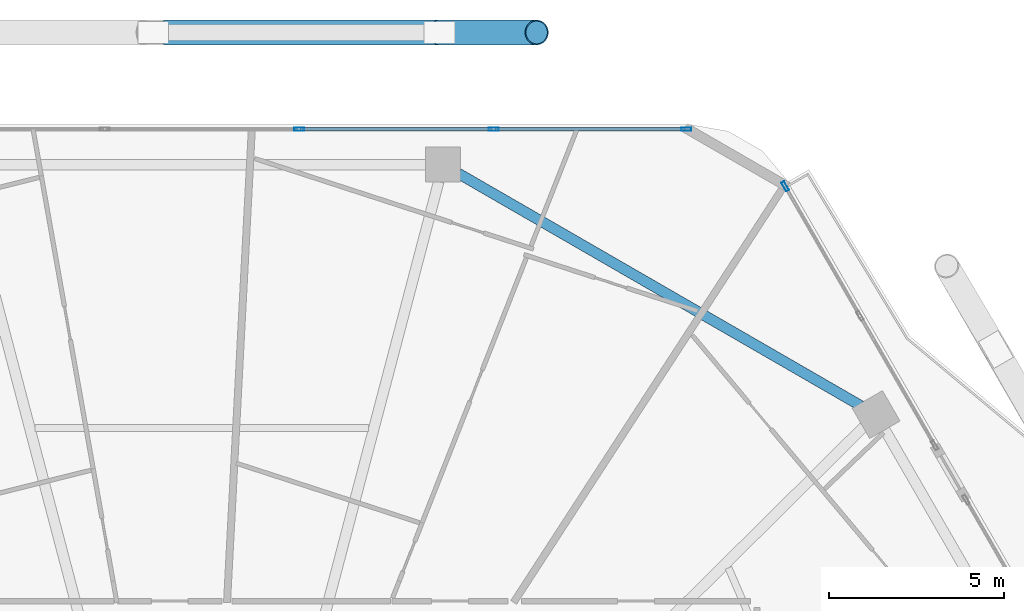
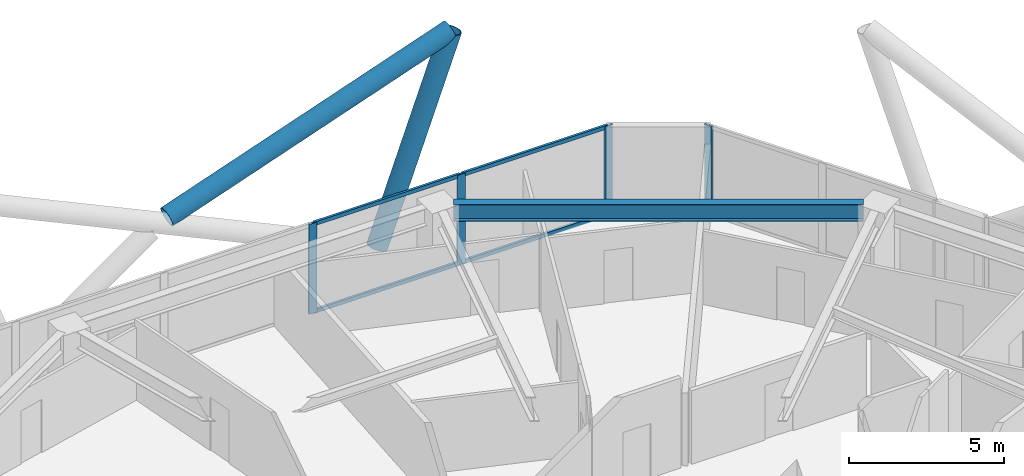
# One storey, part 17 of 28: 10 members, 1 beam, 2 elements without a shape of their own.
"""IFC4 building model written with IfcOpenShell, lengths in metres."""

import ifcopenshell
import ifcopenshell.guid

model = None  # the IFC model being written
_history = None  # IfcOwnerHistory: only IFC2X3 demands one
_inside = {}  # id of a spatial element -> (the spatial element, [elements in it])
_under = {}  # id of a project, library or spatial element -> (it, [spatial elements below it])
_declared = {}  # id of a project -> (the project, [libraries it declares])
_typed = {}  # id of a type object -> (the type object, [elements of that type])
_made_of = {}  # id of a material, layer set ... -> (it, [elements and type objects made of it])


def new_model(schema):
    """Start an empty IFC model of exactly this schema.

    Asked for "IFC4X3", IfcOpenShell would pick the latest addendum, in which some entities
    have other attributes; the version numbers below select the first issue.
    IFC2X3 requires an IfcOwnerHistory on every rooted entity: one is made here for all.
    """
    global model, _history
    if schema == "IFC4X3":
        model = ifcopenshell.file(schema_version=(4, 3, 0, 0))
    else:
        model = ifcopenshell.file(schema=schema)
    _inside.clear()
    _under.clear()
    _declared.clear()
    _typed.clear()
    _made_of.clear()
    _history = None
    if model.schema == "IFC2X3":
        org = make("IfcOrganization", Name="unknown")
        user = make(
            "IfcPersonAndOrganization",
            ThePerson=make("IfcPerson", FamilyName="unknown"),
            TheOrganization=org,
        )
        app = make(
            "IfcApplication",
            ApplicationDeveloper=org,
            Version="unknown",
            ApplicationFullName="unknown",
            ApplicationIdentifier="unknown",
        )
        _history = make(
            "IfcOwnerHistory",
            OwningUser=user,
            OwningApplication=app,
            ChangeAction="ADDED",
            CreationDate=0,
        )
    return model


def make(cls, **values):
    """One entity of the class cls with the attributes given. An attribute that is None is left unset."""
    return model.create_entity(
        cls, **{name: value for name, value in values.items() if value is not None}
    )


def rooted(cls, **values):
    """An entity with a GlobalId (a new one), such as an element, a storey or a relation."""
    return make(cls, GlobalId=ifcopenshell.guid.new(), OwnerHistory=_history, **values)


def si_unit(unit_type, name, prefix=None):
    """IfcSIUnit, for example si_unit("LENGTHUNIT", "METRE", prefix="MILLI")."""
    return make("IfcSIUnit", UnitType=unit_type, Prefix=prefix, Name=name)


def assignment(units):
    """IfcUnitAssignment: the units of a project."""
    return None if units is None else make("IfcUnitAssignment", Units=units)


def point(xyz):
    """IfcCartesianPoint."""
    return None if xyz is None else make("IfcCartesianPoint", Coordinates=xyz)


def direction(xyz):
    """IfcDirection."""
    return None if xyz is None else make("IfcDirection", DirectionRatios=xyz)


def frame(location, z_axis=None, x_axis=None):
    """IfcAxis2Placement3D, a coordinate frame: its origin and axes. An axis left out is left unset."""
    return make(
        "IfcAxis2Placement3D",
        Location=point(location),
        Axis=direction(z_axis),
        RefDirection=direction(x_axis),
    )


def frame_2d(location, x_axis=None):
    """IfcAxis2Placement2D, a coordinate frame in the plane: its origin and x axis."""
    return make(
        "IfcAxis2Placement2D", Location=point(location), RefDirection=direction(x_axis)
    )


def origin():
    """The frame at (0, 0, 0) with its axes left unset."""
    return frame((0.0, 0.0, 0.0))


def origin_2d():
    """The frame at (0, 0) in the plane with its x axis left unset."""
    return frame_2d((0.0, 0.0))


def place(relative_to, where):
    """IfcLocalPlacement: puts the frame where relative to a parent placement (None: the world)."""
    return make(
        "IfcLocalPlacement", PlacementRelTo=relative_to, RelativePlacement=where
    )


def context(
    kind, dimensions, precision=None, world=None, true_north=None, identifier=None
):
    """IfcGeometricRepresentationContext, for example the 3D "Model" context."""
    return make(
        "IfcGeometricRepresentationContext",
        ContextIdentifier=identifier,
        ContextType=kind,
        CoordinateSpaceDimension=dimensions,
        Precision=precision,
        WorldCoordinateSystem=world,
        TrueNorth=true_north,
    )


def subcontext(parent, identifier, kind, view, scale=None):
    """IfcGeometricRepresentationSubContext, for example "Body" below "Model"."""
    return make(
        "IfcGeometricRepresentationSubContext",
        ContextIdentifier=identifier,
        ContextType=kind,
        ParentContext=parent,
        TargetScale=scale,
        TargetView=view,
    )


def project(units=None, contexts=None):
    """IfcProject with its units and contexts."""
    return rooted(
        "IfcProject",
        Name="project",
        RepresentationContexts=contexts,
        UnitsInContext=assignment(units),
    )


def spatial(cls, under=None, at=None, **own):
    """A site, building, storey or space (cls), placed at a placement, below another one or the project."""
    s = rooted(cls, ObjectPlacement=at, **own)
    if under is not None:
        _under.setdefault(under.id(), (under, []))[1].append(s)
    return s


def profile(cls, at=None, kind="AREA", **sizes):
    """A parametric profile (cls). Its sizes go by their IFC names, for example OverallWidth=200.0."""
    return make(cls, ProfileType=kind, Position=at, **sizes)


def hollow_rectangle(**sizes):
    """IfcRectangleHollowProfileDef."""
    return profile("IfcRectangleHollowProfileDef", **sizes)


def hollow_circle(**sizes):
    """IfcCircleHollowProfileDef."""
    return profile("IfcCircleHollowProfileDef", **sizes)


def i_section(**sizes):
    """IfcIShapeProfileDef."""
    return profile("IfcIShapeProfileDef", **sizes)


def extrude(swept, where, along, depth):
    """IfcExtrudedAreaSolid: the profile swept, set in the frame where, extruded along a direction by depth."""
    return make(
        "IfcExtrudedAreaSolid",
        SweptArea=swept,
        Position=where,
        ExtrudedDirection=direction(along),
        Depth=depth,
    )


def shape(context_of_items, identifier, shape_type, items):
    """IfcShapeRepresentation: the items that make up one representation, for example the "Body"."""
    return make(
        "IfcShapeRepresentation",
        ContextOfItems=context_of_items,
        RepresentationIdentifier=identifier,
        RepresentationType=shape_type,
        Items=items,
    )


def material(Name=None, Category=None):
    """IfcMaterial."""
    return make("IfcMaterial", Name=Name, Category=Category)


def material_profile(
    of_material, cross_section, Name=None, Category=None, Priority=None
):
    """IfcMaterialProfile: a cross section and its material."""
    return make(
        "IfcMaterialProfile",
        Name=Name,
        Material=of_material,
        Profile=cross_section,
        Priority=Priority,
        Category=Category,
    )


def profile_set(profiles, Name=None, composite=None):
    """IfcMaterialProfileSet."""
    return make(
        "IfcMaterialProfileSet",
        Name=Name,
        MaterialProfiles=profiles,
        CompositeProfile=composite,
    )


def made_of(thing, what):
    """Note that an element or type object is made of a material, layer set ...; save() writes the relation."""
    if what is not None:
        _made_of.setdefault(what.id(), (what, []))[1].append(thing)
    return thing


def type_object(cls, material=None, **own):
    """A type object (cls), such as IfcWallType, which elements share."""
    return made_of(rooted(cls, **own), material)


def element(
    cls,
    number,
    at=None,
    inside=None,
    cuts=None,
    type_object=None,
    material=None,
    context=None,
    identifier="Body",
    shape_type=None,
    held_by="IfcProductDefinitionShape",
    body=None,
    shapes=None,
    **own,
):
    """One element of the class cls, such as IfcWall. Its Tag is "e" and its number.

    at: its placement. inside: the storey or other place that contains it. cuts: it is an
    opening in that element (IfcRelVoidsElement). A single representation is given by context,
    identifier, shape_type and body (its items); several are given by shapes. held_by: the class
    of the entity that holds the representations. save() writes the other relations.
    """
    e = rooted(cls, Tag="e%d" % number, ObjectPlacement=at, **own)
    if body is not None:
        shapes = [shape(context, identifier, shape_type, body)]
    if shapes is not None:
        e.Representation = make(held_by, Representations=shapes)
    if inside is not None:
        _inside.setdefault(inside.id(), (inside, []))[1].append(e)
    if cuts is not None:
        rooted(
            "IfcRelVoidsElement", RelatingBuildingElement=cuts, RelatedOpeningElement=e
        )
    if type_object is not None:
        _typed.setdefault(type_object.id(), (type_object, []))[1].append(e)
    return made_of(e, material)


def aggregate(whole, parts):
    """IfcRelAggregates: a whole, such as a stair, and the parts it consists of."""
    return rooted("IfcRelAggregates", RelatingObject=whole, RelatedObjects=parts)


def save(model, path):
    """Write the relations noted so far, then the file.

    IfcRelAggregates (storeys below a building ...), IfcRelContainedInSpatialStructure (elements
    in a storey), IfcRelDefinesByType, IfcRelAssociatesMaterial and IfcRelDeclares: one each for
    every whole, place, type object, material and project.
    """
    for whole, parts in _under.values():
        aggregate(whole, parts)
    for where, things in _inside.values():
        rooted(
            "IfcRelContainedInSpatialStructure",
            RelatedElements=things,
            RelatingStructure=where,
        )
    for kind, things in _typed.values():
        rooted("IfcRelDefinesByType", RelatedObjects=things, RelatingType=kind)
    for what, things in _made_of.values():
        rooted("IfcRelAssociatesMaterial", RelatedObjects=things, RelatingMaterial=what)
    for by, libraries in _declared.values():
        rooted("IfcRelDeclares", RelatingContext=by, RelatedDefinitions=libraries)
    model.write(path)


model = new_model("IFC4")

# Units and contexts
model_context = context("Model", 3, precision=1e-05, world=origin(), true_north=direction((0.0, 1.0)))
body_context = subcontext(model_context, "Body", "Model", "MODEL_VIEW")
ifc_project = project(units=[si_unit("LENGTHUNIT", "METRE"), si_unit("AREAUNIT", "SQUARE_METRE"), si_unit("VOLUMEUNIT", "CUBIC_METRE"), si_unit("PLANEANGLEUNIT", "RADIAN"), si_unit("MASSUNIT", "GRAM", prefix="KILO")], contexts=[model_context])

# Site, building, storey
site_placement = place(None, origin())
site = spatial("IfcSite", under=ifc_project, at=site_placement, CompositionType="ELEMENT")
building_placement = place(site_placement, origin())
building = spatial("IfcBuilding", under=site, at=building_placement, Name="Zuhravey Tower", CompositionType="ELEMENT")
storey_placement = place(building_placement, frame((0.0, 0.0, 169.39990234375)))
storey = spatial("IfcBuildingStorey", under=building, at=storey_placement, Name="L42", CompositionType="ELEMENT", Elevation=169.39990234375)

# Curtain wall, members
ifc_material_1 = material(Name="Thermally broken anodised aluminium", Category="aluminium")
curtain_wall_type = type_object("IfcCurtainWallType", Name="Zone 1-2 Residential Curtain Wall CW3", PredefinedType="NOTDEFINED", material=ifc_material_1)
curtain_wall_1_placement = place(storey_placement, origin())
curtain_wall_1 = element("IfcCurtainWall", 1, at=curtain_wall_1_placement, inside=storey, type_object=curtain_wall_type, Name="L42 CW3 CW-L42-F2-1", PredefinedType="NOTDEFINED")
ifc_material_2 = material(Name="Anodised aluminium", Category="aluminium")
ifc_material_profile_1 = material_profile(ifc_material_2, hollow_rectangle(XDim=0.090087890625, YDim=0.284912109375, WallThickness=0.0048828125, at=origin_2d()), Name="ALU-RHS-90x285x5")
ifc_profile_set_1 = profile_set([ifc_material_profile_1], Name="Anodised aluminium")
member_type_1 = type_object("IfcMemberType", Name="Curtain-Wall Mullion 90x180", PredefinedType="MULLION", material=ifc_profile_set_1)
member_1_placement = place(storey_placement, frame((38.772216796875, 59.18310546875, 0.0), z_axis=(0.0, 0.0, 1.0), x_axis=(0.0, 1.0, 0.0)))
member_1 = element("IfcMember", 2, at=member_1_placement, type_object=member_type_1, Name="CW3 mullion 4", PredefinedType="MULLION", context=body_context, shape_type="SweptSolid", body=[
    extrude(hollow_rectangle(XDim=0.090087890625, YDim=0.284912109375, WallThickness=0.0048828125, at=origin_2d()), origin(), (0.0, 0.0, 1.0), 3.550048828125),
])
member_2_placement = place(storey_placement, frame((44.316650390625, 59.18310546875, 0.0), z_axis=(0.0, 0.0, 1.0), x_axis=(0.0, 1.0, 0.0)))
member_2 = element("IfcMember", 3, at=member_2_placement, type_object=member_type_1, Name="CW3 mullion 5", PredefinedType="MULLION", context=body_context, shape_type="SweptSolid", body=[
    extrude(hollow_rectangle(XDim=0.090087890625, YDim=0.284912109375, WallThickness=0.0048828125, at=origin_2d()), origin(), (0.0, 0.0, 1.0), 3.550048828125),
])
member_3_placement = place(storey_placement, frame((49.816162109375, 59.18310546875, 0.0), z_axis=(0.0, 0.0, 1.0), x_axis=(0.0, 1.0, 0.0)))
member_3 = element("IfcMember", 4, at=member_3_placement, type_object=member_type_1, Name="CW3 mullion 6", PredefinedType="MULLION", context=body_context, shape_type="SweptSolid", body=[
    extrude(hollow_rectangle(XDim=0.090087890625, YDim=0.284912109375, WallThickness=0.0048828125, at=origin_2d()), origin(), (0.0, 0.0, 1.0), 3.550048828125),
])

# Curtain wall, member
curtain_wall_2_placement = place(storey_placement, origin())
curtain_wall_2 = element("IfcCurtainWall", 5, at=curtain_wall_2_placement, inside=storey, type_object=curtain_wall_type, Name="L42 CW3 CW-L42-F1-1", PredefinedType="NOTDEFINED")
member_4_placement = place(storey_placement, frame((52.63330078125, 57.556640625, 0.0), z_axis=(0.0, 0.0, 1.0), x_axis=(0.86602173302, 0.500006357897, 0.0)))
member_4 = element("IfcMember", 6, at=member_4_placement, type_object=member_type_1, Name="CW3 mullion 1", PredefinedType="MULLION", context=body_context, shape_type="SweptSolid", body=[
    extrude(hollow_rectangle(XDim=0.090087890625, YDim=0.284912109375, WallThickness=0.0048828125, at=origin_2d()), origin(), (0.0, 0.0, 1.0), 3.550048828125),
])
aggregate(curtain_wall_2, [member_4])

# Member
ifc_material_profile_2 = material_profile(ifc_material_2, hollow_rectangle(XDim=0.090087890625, YDim=0.14990234375, WallThickness=0.0048828125, at=origin_2d()), Name="ALU-RHS-90x150x5")
ifc_profile_set_2 = profile_set([ifc_material_profile_2], Name="Anodised aluminium")
member_type_2 = type_object("IfcMemberType", Name="Curtain-Wall Transom 90x150", PredefinedType="USERDEFINED", material=ifc_profile_set_2)
member_5_placement = place(storey_placement, frame((38.817138671875, 59.18310546875, 0.045166015625), z_axis=(1.0, 0.0, 0.0), x_axis=(0.0, 1.0, 0.0)))
member_5 = element("IfcMember", 7, at=member_5_placement, type_object=member_type_2, Name="CW3 transom 4.1", ObjectType="TRANSOM", PredefinedType="USERDEFINED", context=body_context, shape_type="SweptSolid", body=[
    extrude(hollow_rectangle(XDim=0.090087890625, YDim=0.14990234375, WallThickness=0.0048828125, at=origin_2d()), origin(), (0.0, 0.0, 1.0), 5.45458984375),
])

member_6_placement = place(storey_placement, frame((38.817138671875, 59.18310546875, 3.505126953125), z_axis=(1.0, 0.0, 0.0), x_axis=(0.0, 1.0, 0.0)))
member_6 = element("IfcMember", 8, at=member_6_placement, type_object=member_type_2, Name="CW3 transom 4.2", ObjectType="TRANSOM", PredefinedType="USERDEFINED", context=body_context, shape_type="SweptSolid", body=[
    extrude(hollow_rectangle(XDim=0.090087890625, YDim=0.14990234375, WallThickness=0.0048828125, at=origin_2d()), origin(), (0.0, 0.0, 1.0), 5.45458984375),
])

member_7_placement = place(storey_placement, frame((44.361572265625, 59.18310546875, 0.045166015625), z_axis=(1.0, 0.0, 0.0), x_axis=(0.0, 1.0, 0.0)))
member_7 = element("IfcMember", 9, at=member_7_placement, type_object=member_type_2, Name="CW3 transom 5.1", ObjectType="TRANSOM", PredefinedType="USERDEFINED", context=body_context, shape_type="SweptSolid", body=[
    extrude(hollow_rectangle(XDim=0.090087890625, YDim=0.14990234375, WallThickness=0.0048828125, at=origin_2d()), origin(), (0.0, 0.0, 1.0), 5.409423828125),
])

member_8_placement = place(storey_placement, frame((44.361572265625, 59.18310546875, 3.505126953125), z_axis=(1.0, 0.0, 0.0), x_axis=(0.0, 1.0, 0.0)))
member_8 = element("IfcMember", 10, at=member_8_placement, type_object=member_type_2, Name="CW3 transom 5.2", ObjectType="TRANSOM", PredefinedType="USERDEFINED", context=body_context, shape_type="SweptSolid", body=[
    extrude(hollow_rectangle(XDim=0.090087890625, YDim=0.14990234375, WallThickness=0.0048828125, at=origin_2d()), origin(), (0.0, 0.0, 1.0), 5.409423828125),
])

aggregate(curtain_wall_1, [member_1, member_2, member_3, member_5, member_6, member_7, member_8])

# Members
ifc_material_3 = material(Name="Steel SM460", Category="steel")
ifc_material_profile_3 = material_profile(ifc_material_3, hollow_circle(Radius=0.355712890625, WallThickness=0.031982421875, at=origin_2d()), Name="CHS-711.2x32")
ifc_profile_set_3 = profile_set([ifc_material_profile_3], Name="Steel SM460")
member_type_3 = type_object("IfcMemberType", Name="Exoskeleton Zone 2 Diagrid CHS711x32", PredefinedType="BRACE", material=ifc_profile_set_3)
member_9_placement = place(storey_placement, frame((42.788330078125, 61.943115234375, -0.44384765625), z_axis=(0.342858392965, 0.0, 0.939387099323), x_axis=(0.0, 1.0, 0.0)))
element("IfcMember", 11, at=member_9_placement, inside=storey, type_object=member_type_3, Name="L42 Face 2 Diagrid Brace 1", PredefinedType="BRACE", context=body_context, shape_type="SweptSolid", body=[
    extrude(hollow_circle(Radius=0.355712890625, WallThickness=0.031982421875, at=origin_2d()), origin(), (0.0, 0.0, 1.0), 8.0478515625),
])
member_10_placement = place(storey_placement, frame((34.939453125, 61.943115234375, 3.449462890625), z_axis=(0.944653568891, 0.0, 0.328069557841), x_axis=(0.0, 1.0, 0.0)))
element("IfcMember", 12, at=member_10_placement, inside=storey, type_object=member_type_3, Name="L42 Face 2 Split Diagrid Brace 3B", PredefinedType="BRACE", context=body_context, shape_type="SweptSolid", body=[
    extrude(hollow_circle(Radius=0.355712890625, WallThickness=0.031982421875, at=origin_2d()), origin(), (0.0, 0.0, 1.0), 11.190185546875),
])

# Beam
ifc_material_4 = material(Name="Steel SM355", Category="steel")
ifc_material_profile_4 = material_profile(ifc_material_4, i_section(OverallWidth=0.300048828125, OverallDepth=0.679931640625, WebThickness=0.012939453125, FlangeThickness=0.02197265625, at=origin_2d()), Name="H-680x300x13x22")
ifc_profile_set_4 = profile_set([ifc_material_profile_4], Name="Steel SM355")
beam_type = type_object("IfcBeamType", Name="Perimeter Ring Beam H680x300", PredefinedType="BEAM", material=ifc_profile_set_4)
beam_placement = place(storey_placement, frame((54.789794921875, 51.298095703125, 3.210205078125), z_axis=(-0.866022923061, 0.500004296715, 0.0), x_axis=(-0.500004296715, -0.866022923061, 0.0)))
element("IfcBeam", 13, at=beam_placement, inside=storey, type_object=beam_type, Name="L42 PB2 BM-L42-PB-02", PredefinedType="BEAM", context=body_context, shape_type="SweptSolid", body=[
    extrude(i_section(OverallWidth=0.300048828125, OverallDepth=0.679931640625, WebThickness=0.012939453125, FlangeThickness=0.02197265625, at=origin_2d()), origin(), (0.0, 0.0, 1.0), 13.2470703125),
])

save(model, "model.ifc")
